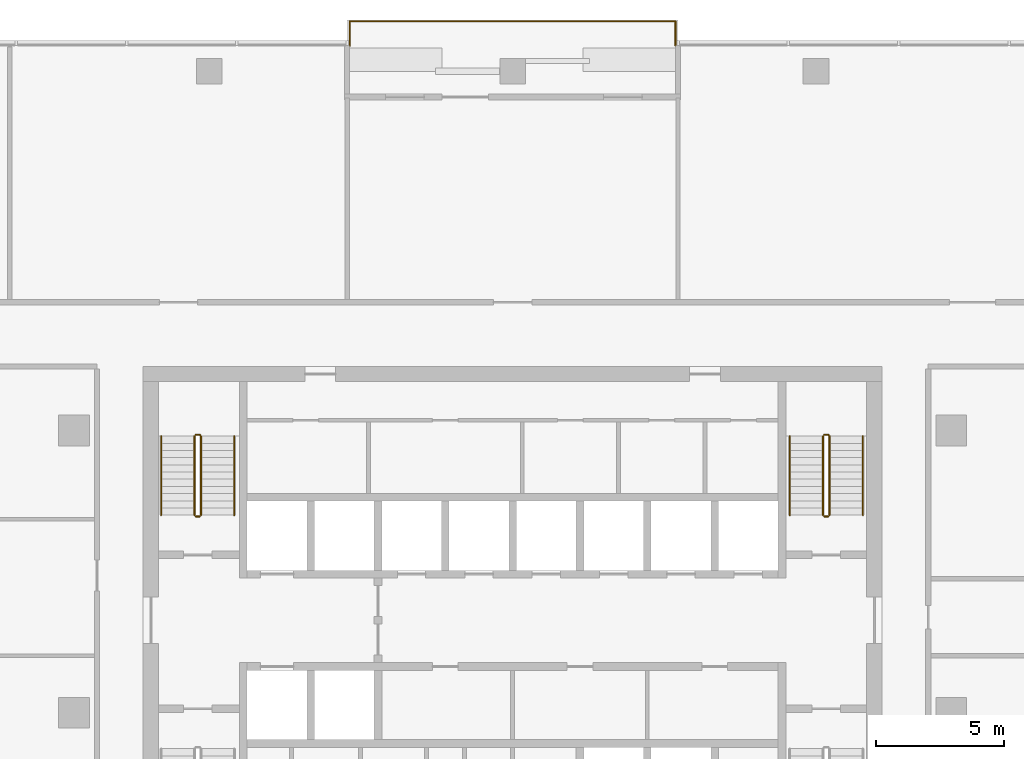
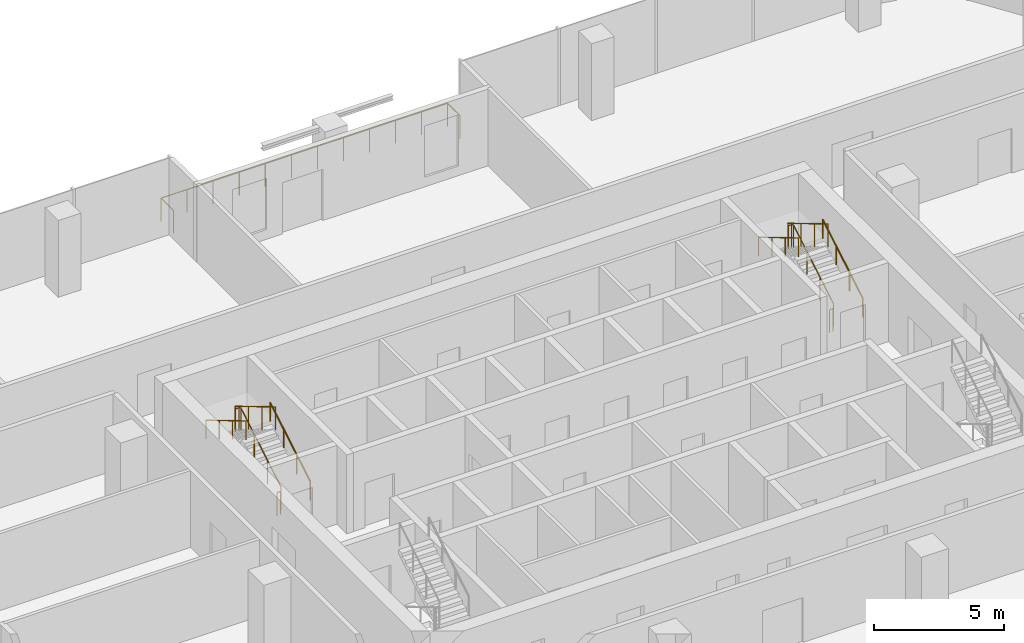
# One storey, part 13 of 13: 11 railings.
"""IFC4 building model written with IfcOpenShell, lengths in metres."""

from ifc_helpers import new_model, si_unit, direction, frame, origin, origin_2d, place, context, subcontext, project, spatial, circle, extrude, material, type_object, element, save


model = new_model("IFC4")

# Units and contexts
model_context = context("Model", 3, precision=1e-05, world=origin(), true_north=direction((0.0, 1.0)))
body_context = subcontext(model_context, "Body", "Model", "MODEL_VIEW")
ifc_project = project(units=[si_unit("LENGTHUNIT", "METRE"), si_unit("AREAUNIT", "SQUARE_METRE"), si_unit("VOLUMEUNIT", "CUBIC_METRE"), si_unit("PLANEANGLEUNIT", "RADIAN"), si_unit("MASSUNIT", "GRAM", prefix="KILO")], contexts=[model_context])

# Site, building, storey
site_placement = place(None, origin())
site = spatial("IfcSite", under=ifc_project, at=site_placement, CompositionType="ELEMENT")
building_placement = place(site_placement, origin())
building = spatial("IfcBuilding", under=site, at=building_placement, Name="Mopane Tessera Tower", CompositionType="ELEMENT")
storey_placement = place(building_placement, frame((0.0, 0.0, 275.39990234375)))
storey = spatial("IfcBuildingStorey", under=building, at=storey_placement, Name="L59", CompositionType="ELEMENT", Elevation=275.39990234375)

# Railings
ifc_material_1 = material(Name="Powder-coated steel balustrade", Category="steel")
railing_type_1 = type_object("IfcRailingType", Name="Escape stair guard 1100 mm", PredefinedType="GUARDRAIL", material=ifc_material_1)
railing_1_placement = place(storey_placement, frame((-12.14990234375, 7.699951171875, 0.166748046875)))
element("IfcRailing", 1, at=railing_1_placement, inside=storey, type_object=railing_type_1, Name="L59 ST2 stair guard 1", PredefinedType="GUARDRAIL", context=body_context, shape_type="SweptSolid", body=[
    extrude(circle(Radius=0.02392578125, at=origin_2d()), frame((0.0, 0.0, 1.076171875), z_axis=(0.0, 0.859308565015, 0.511457515432), x_axis=(-1.0, 0.0, 0.0)), (0.0, 0.0, 1.0), 3.58447265625),
    extrude(circle(Radius=0.02392578125, at=origin_2d()), frame((0.0, 3.080078125, 2.9091796875), z_axis=(-0.707106781187, 0.707106781187, 0.0), x_axis=(-0.707106781187, -0.707106781187, 0.0)), (0.0, 0.0, 1.0), 0.07080078125),
    extrude(circle(Radius=0.02392578125, at=origin_2d()), frame((-0.050048828125, 3.130126953125, 2.9091796875), z_axis=(-1.0, 0.0, 0.0), x_axis=(0.0, -1.0, 0.0)), (0.0, 0.0, 1.0), 0.150146484375),
    extrude(circle(Radius=0.02099609375, at=origin_2d()), origin(), (0.0, 0.0, 1.0), 1.052001953125),
    extrude(circle(Radius=0.02099609375, at=origin_2d()), frame((0.0, 1.026611328125, 0.611083984375)), (0.0, 0.0, 1.0), 1.052001953125),
    extrude(circle(Radius=0.02099609375, at=origin_2d()), frame((0.0, 2.053466796875, 1.22216796875)), (0.0, 0.0, 1.0), 1.052001953125),
    extrude(circle(Radius=0.02099609375, at=origin_2d()), frame((0.0, 3.080078125, 1.833251953125)), (0.0, 0.0, 1.0), 1.052001953125),
    extrude(circle(Radius=0.02099609375, at=origin_2d()), frame((-0.050048828125, 3.130126953125, 1.833251953125)), (0.0, 0.0, 1.0), 1.052001953125),
    extrude(circle(Radius=0.02099609375, at=origin_2d()), frame((-0.2001953125, 3.130126953125, 1.833251953125)), (0.0, 0.0, 1.0), 1.052001953125),
])
railing_2_placement = place(storey_placement, frame((-12.39990234375, 10.780029296875, 2.166748046875)))
element("IfcRailing", 2, at=railing_2_placement, inside=storey, type_object=railing_type_1, Name="L59 ST2 stair guard 2", PredefinedType="GUARDRAIL", context=body_context, shape_type="SweptSolid", body=[
    extrude(circle(Radius=0.02392578125, at=origin_2d()), frame((0.0, 0.0, 1.076171875), z_axis=(0.0, -0.859308565015, 0.511457515432), x_axis=(1.0, 0.0, 0.0)), (0.0, 0.0, 1.0), 3.58447265625),
    extrude(circle(Radius=0.02099609375, at=origin_2d()), origin(), (0.0, 0.0, 1.0), 1.052001953125),
    extrude(circle(Radius=0.02099609375, at=origin_2d()), frame((0.0, -1.026611328125, 0.611083984375)), (0.0, 0.0, 1.0), 1.052001953125),
    extrude(circle(Radius=0.02099609375, at=origin_2d()), frame((0.0, -2.053466796875, 1.22216796875)), (0.0, 0.0, 1.0), 1.052001953125),
    extrude(circle(Radius=0.02099609375, at=origin_2d()), frame((0.0, -3.080078125, 1.833251953125)), (0.0, 0.0, 1.0), 1.052001953125),
])
railing_3_placement = place(storey_placement, frame((-12.199951171875, 7.64990234375, 0.0)))
element("IfcRailing", 3, at=railing_3_placement, inside=storey, type_object=railing_type_1, Name="L59 ST2 stair guard 3", PredefinedType="GUARDRAIL", context=body_context, shape_type="SweptSolid", body=[
    extrude(circle(Radius=0.02392578125, at=origin_2d()), frame((0.0, 0.0, 1.076171875), z_axis=(-1.0, 0.0, 0.0), x_axis=(0.0, -1.0, 0.0)), (0.0, 0.0, 1.0), 0.150146484375),
    extrude(circle(Radius=0.02099609375, at=origin_2d()), origin(), (0.0, 0.0, 1.0), 1.052001953125),
    extrude(circle(Radius=0.02099609375, at=origin_2d()), frame((-0.150146484375, 0.0, 0.0)), (0.0, 0.0, 1.0), 1.052001953125),
])
railing_4_placement = place(storey_placement, frame((12.35009765625, 7.699951171875, 0.166748046875)))
element("IfcRailing", 4, at=railing_4_placement, inside=storey, type_object=railing_type_1, Name="L59 ST4 stair guard 1", PredefinedType="GUARDRAIL", context=body_context, shape_type="SweptSolid", body=[
    extrude(circle(Radius=0.02392578125, at=origin_2d()), frame((0.0, 0.0, 1.076171875), z_axis=(0.0, 0.859308565015, 0.511457515432), x_axis=(-1.0, 0.0, 0.0)), (0.0, 0.0, 1.0), 3.58447265625),
    extrude(circle(Radius=0.02392578125, at=origin_2d()), frame((0.0, 3.080078125, 2.9091796875), z_axis=(-0.707106781187, 0.707106781187, 0.0), x_axis=(-0.707106781187, -0.707106781187, 0.0)), (0.0, 0.0, 1.0), 0.07080078125),
    extrude(circle(Radius=0.02392578125, at=origin_2d()), frame((-0.050048828125, 3.130126953125, 2.9091796875), z_axis=(-1.0, 0.0, 0.0), x_axis=(0.0, -1.0, 0.0)), (0.0, 0.0, 1.0), 0.150146484375),
    extrude(circle(Radius=0.02099609375, at=origin_2d()), origin(), (0.0, 0.0, 1.0), 1.052001953125),
    extrude(circle(Radius=0.02099609375, at=origin_2d()), frame((0.0, 1.026611328125, 0.611083984375)), (0.0, 0.0, 1.0), 1.052001953125),
    extrude(circle(Radius=0.02099609375, at=origin_2d()), frame((0.0, 2.053466796875, 1.22216796875)), (0.0, 0.0, 1.0), 1.052001953125),
    extrude(circle(Radius=0.02099609375, at=origin_2d()), frame((0.0, 3.080078125, 1.833251953125)), (0.0, 0.0, 1.0), 1.052001953125),
    extrude(circle(Radius=0.02099609375, at=origin_2d()), frame((-0.050048828125, 3.130126953125, 1.833251953125)), (0.0, 0.0, 1.0), 1.052001953125),
    extrude(circle(Radius=0.02099609375, at=origin_2d()), frame((-0.2001953125, 3.130126953125, 1.833251953125)), (0.0, 0.0, 1.0), 1.052001953125),
])
railing_5_placement = place(storey_placement, frame((12.10009765625, 10.780029296875, 2.166748046875)))
element("IfcRailing", 5, at=railing_5_placement, inside=storey, type_object=railing_type_1, Name="L59 ST4 stair guard 2", PredefinedType="GUARDRAIL", context=body_context, shape_type="SweptSolid", body=[
    extrude(circle(Radius=0.02392578125, at=origin_2d()), frame((0.0, 0.0, 1.076171875), z_axis=(0.0, -0.859308565015, 0.511457515432), x_axis=(1.0, 0.0, 0.0)), (0.0, 0.0, 1.0), 3.58447265625),
    extrude(circle(Radius=0.02099609375, at=origin_2d()), origin(), (0.0, 0.0, 1.0), 1.052001953125),
    extrude(circle(Radius=0.02099609375, at=origin_2d()), frame((0.0, -1.026611328125, 0.611083984375)), (0.0, 0.0, 1.0), 1.052001953125),
    extrude(circle(Radius=0.02099609375, at=origin_2d()), frame((0.0, -2.053466796875, 1.22216796875)), (0.0, 0.0, 1.0), 1.052001953125),
    extrude(circle(Radius=0.02099609375, at=origin_2d()), frame((0.0, -3.080078125, 1.833251953125)), (0.0, 0.0, 1.0), 1.052001953125),
])
railing_6_placement = place(storey_placement, frame((12.300048828125, 7.64990234375, 0.0)))
element("IfcRailing", 6, at=railing_6_placement, inside=storey, type_object=railing_type_1, Name="L59 ST4 stair guard 3", PredefinedType="GUARDRAIL", context=body_context, shape_type="SweptSolid", body=[
    extrude(circle(Radius=0.02392578125, at=origin_2d()), frame((0.0, 0.0, 1.076171875), z_axis=(-1.0, 0.0, 0.0), x_axis=(0.0, -1.0, 0.0)), (0.0, 0.0, 1.0), 0.150146484375),
    extrude(circle(Radius=0.02099609375, at=origin_2d()), origin(), (0.0, 0.0, 1.0), 1.052001953125),
    extrude(circle(Radius=0.02099609375, at=origin_2d()), frame((-0.150146484375, 0.0, 0.0)), (0.0, 0.0, 1.0), 1.052001953125),
])
ifc_material_2 = material(Name="Powder-coated steel balustrade", Category="steel")
railing_type_2 = type_object("IfcRailingType", Name="Escape stair handrail 900 mm", PredefinedType="HANDRAIL", material=ifc_material_2)
railing_7_placement = place(storey_placement, frame((-10.85009765625, 7.699951171875, 0.166748046875)))
element("IfcRailing", 7, at=railing_7_placement, inside=storey, type_object=railing_type_2, Name="L59 ST2 stair handrail 1", PredefinedType="HANDRAIL", context=body_context, shape_type="SweptSolid", body=[
    extrude(circle(Radius=0.02392578125, at=origin_2d()), frame((0.0, 0.0, 0.8759765625), z_axis=(0.0, 0.859308565015, 0.511457515432), x_axis=(-1.0, 0.0, 0.0)), (0.0, 0.0, 1.0), 3.58447265625),
    extrude(circle(Radius=0.02099609375, at=origin_2d()), origin(), (0.0, 0.0, 1.0), 0.851806640625),
    extrude(circle(Radius=0.02099609375, at=origin_2d()), frame((0.0, 1.026611328125, 0.611083984375)), (0.0, 0.0, 1.0), 0.851806640625),
    extrude(circle(Radius=0.02099609375, at=origin_2d()), frame((0.0, 2.053466796875, 1.22216796875)), (0.0, 0.0, 1.0), 0.851806640625),
    extrude(circle(Radius=0.02099609375, at=origin_2d()), frame((0.0, 3.080078125, 1.833251953125)), (0.0, 0.0, 1.0), 0.851806640625),
])
railing_8_placement = place(storey_placement, frame((-13.699951171875, 10.780029296875, 2.166748046875)))
element("IfcRailing", 8, at=railing_8_placement, inside=storey, type_object=railing_type_2, Name="L59 ST2 stair handrail 2", PredefinedType="HANDRAIL", context=body_context, shape_type="SweptSolid", body=[
    extrude(circle(Radius=0.02392578125, at=origin_2d()), frame((0.0, 0.0, 0.8759765625), z_axis=(0.0, -0.859308565015, 0.511457515432), x_axis=(1.0, 0.0, 0.0)), (0.0, 0.0, 1.0), 3.58447265625),
    extrude(circle(Radius=0.02099609375, at=origin_2d()), origin(), (0.0, 0.0, 1.0), 0.851806640625),
    extrude(circle(Radius=0.02099609375, at=origin_2d()), frame((0.0, -1.026611328125, 0.611083984375)), (0.0, 0.0, 1.0), 0.851806640625),
    extrude(circle(Radius=0.02099609375, at=origin_2d()), frame((0.0, -2.053466796875, 1.22216796875)), (0.0, 0.0, 1.0), 0.851806640625),
    extrude(circle(Radius=0.02099609375, at=origin_2d()), frame((0.0, -3.080078125, 1.833251953125)), (0.0, 0.0, 1.0), 0.851806640625),
])
railing_9_placement = place(storey_placement, frame((13.64990234375, 7.699951171875, 0.166748046875)))
element("IfcRailing", 9, at=railing_9_placement, inside=storey, type_object=railing_type_2, Name="L59 ST4 stair handrail 1", PredefinedType="HANDRAIL", context=body_context, shape_type="SweptSolid", body=[
    extrude(circle(Radius=0.02392578125, at=origin_2d()), frame((0.0, 0.0, 0.8759765625), z_axis=(0.0, 0.859308565015, 0.511457515432), x_axis=(-1.0, 0.0, 0.0)), (0.0, 0.0, 1.0), 3.58447265625),
    extrude(circle(Radius=0.02099609375, at=origin_2d()), origin(), (0.0, 0.0, 1.0), 0.851806640625),
    extrude(circle(Radius=0.02099609375, at=origin_2d()), frame((0.0, 1.026611328125, 0.611083984375)), (0.0, 0.0, 1.0), 0.851806640625),
    extrude(circle(Radius=0.02099609375, at=origin_2d()), frame((0.0, 2.053466796875, 1.22216796875)), (0.0, 0.0, 1.0), 0.851806640625),
    extrude(circle(Radius=0.02099609375, at=origin_2d()), frame((0.0, 3.080078125, 1.833251953125)), (0.0, 0.0, 1.0), 0.851806640625),
])
railing_10_placement = place(storey_placement, frame((10.800048828125, 10.780029296875, 2.166748046875)))
element("IfcRailing", 10, at=railing_10_placement, inside=storey, type_object=railing_type_2, Name="L59 ST4 stair handrail 2", PredefinedType="HANDRAIL", context=body_context, shape_type="SweptSolid", body=[
    extrude(circle(Radius=0.02392578125, at=origin_2d()), frame((0.0, 0.0, 0.8759765625), z_axis=(0.0, -0.859308565015, 0.511457515432), x_axis=(1.0, 0.0, 0.0)), (0.0, 0.0, 1.0), 3.58447265625),
    extrude(circle(Radius=0.02099609375, at=origin_2d()), origin(), (0.0, 0.0, 1.0), 0.851806640625),
    extrude(circle(Radius=0.02099609375, at=origin_2d()), frame((0.0, -1.026611328125, 0.611083984375)), (0.0, 0.0, 1.0), 0.851806640625),
    extrude(circle(Radius=0.02099609375, at=origin_2d()), frame((0.0, -2.053466796875, 1.22216796875)), (0.0, 0.0, 1.0), 0.851806640625),
    extrude(circle(Radius=0.02099609375, at=origin_2d()), frame((0.0, -3.080078125, 1.833251953125)), (0.0, 0.0, 1.0), 0.851806640625),
])
ifc_material_3 = material(Name="Stainless steel S316", Category="steel")
railing_type_3 = type_object("IfcRailingType", Name="Terrace guard 1100", PredefinedType="GUARDRAIL", material=ifc_material_3)
railing_11_placement = place(storey_placement, frame((6.35009765625, 26.0, 0.0)))
element("IfcRailing", 11, at=railing_11_placement, inside=storey, type_object=railing_type_3, Name="e:nw:L59:N2:guard", PredefinedType="GUARDRAIL", context=body_context, shape_type="SweptSolid", body=[
    extrude(circle(Radius=0.02392578125, at=origin_2d()), frame((0.0, 0.0, 1.076171875), z_axis=(0.0, 1.0, 0.0), x_axis=(-1.0, 0.0, 0.0)), (0.0, 0.0, 1.0), 0.949951171875),
    extrude(circle(Radius=0.02392578125, at=origin_2d()), frame((0.0, 0.949951171875, 1.076171875), z_axis=(-1.0, 0.0, 0.0), x_axis=(0.0, -1.0, 0.0)), (0.0, 0.0, 1.0), 12.7001953125),
    extrude(circle(Radius=0.02392578125, at=origin_2d()), frame((-12.7001953125, 0.949951171875, 1.076171875), z_axis=(0.0, -1.0, 0.0), x_axis=(1.0, 0.0, 0.0)), (0.0, 0.0, 1.0), 0.949951171875),
    extrude(circle(Radius=0.02099609375, at=origin_2d()), origin(), (0.0, 0.0, 1.0), 1.052001953125),
    extrude(circle(Radius=0.02099609375, at=origin_2d()), frame((0.0, 0.949951171875, 0.0)), (0.0, 0.0, 1.0), 1.052001953125),
    extrude(circle(Radius=0.02099609375, at=origin_2d()), frame((-1.154541015625, 0.949951171875, 0.0)), (0.0, 0.0, 1.0), 1.052001953125),
    extrude(circle(Radius=0.02099609375, at=origin_2d()), frame((-2.30908203125, 0.949951171875, 0.0)), (0.0, 0.0, 1.0), 1.052001953125),
    extrude(circle(Radius=0.02099609375, at=origin_2d()), frame((-3.463623046875, 0.949951171875, 0.0)), (0.0, 0.0, 1.0), 1.052001953125),
    extrude(circle(Radius=0.02099609375, at=origin_2d()), frame((-4.6181640625, 0.949951171875, 0.0)), (0.0, 0.0, 1.0), 1.052001953125),
    extrude(circle(Radius=0.02099609375, at=origin_2d()), frame((-5.772705078125, 0.949951171875, 0.0)), (0.0, 0.0, 1.0), 1.052001953125),
    extrude(circle(Radius=0.02099609375, at=origin_2d()), frame((-6.927490234375, 0.949951171875, 0.0)), (0.0, 0.0, 1.0), 1.052001953125),
    extrude(circle(Radius=0.02099609375, at=origin_2d()), frame((-8.08203125, 0.949951171875, 0.0)), (0.0, 0.0, 1.0), 1.052001953125),
    extrude(circle(Radius=0.02099609375, at=origin_2d()), frame((-9.236572265625, 0.949951171875, 0.0)), (0.0, 0.0, 1.0), 1.052001953125),
    extrude(circle(Radius=0.02099609375, at=origin_2d()), frame((-10.39111328125, 0.949951171875, 0.0)), (0.0, 0.0, 1.0), 1.052001953125),
    extrude(circle(Radius=0.02099609375, at=origin_2d()), frame((-11.545654296875, 0.949951171875, 0.0)), (0.0, 0.0, 1.0), 1.052001953125),
    extrude(circle(Radius=0.02099609375, at=origin_2d()), frame((-12.7001953125, 0.949951171875, 0.0)), (0.0, 0.0, 1.0), 1.052001953125),
    extrude(circle(Radius=0.02099609375, at=origin_2d()), frame((-12.7001953125, 0.0, 0.0)), (0.0, 0.0, 1.0), 1.052001953125),
])

save(model, "model.ifc")
